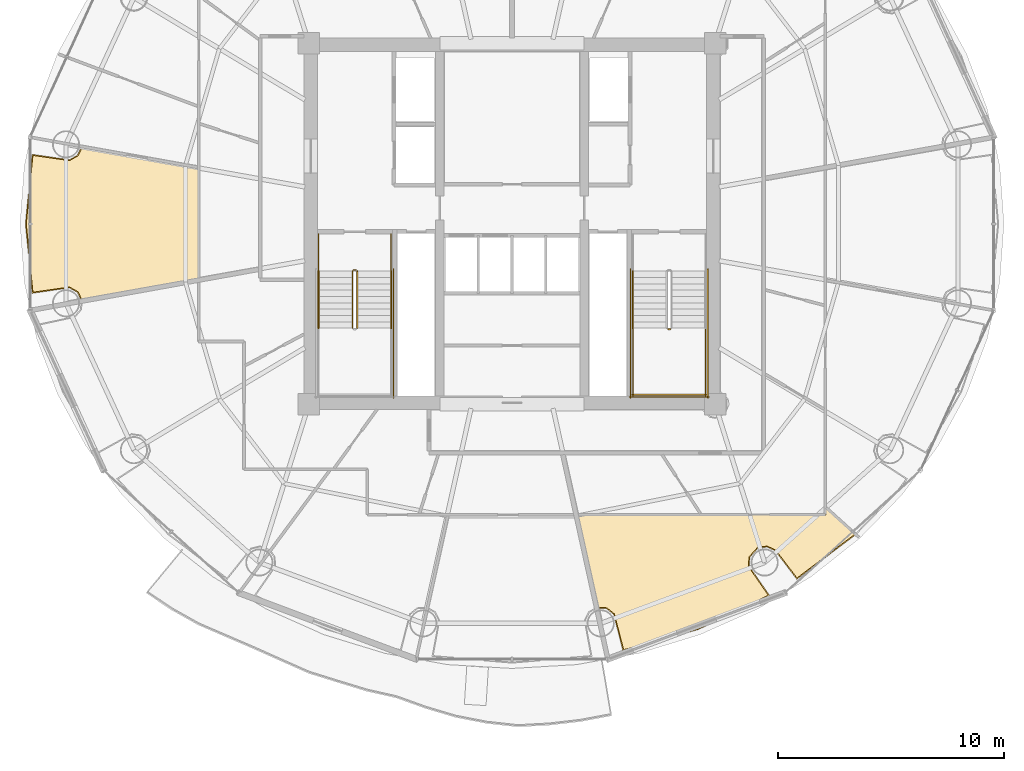
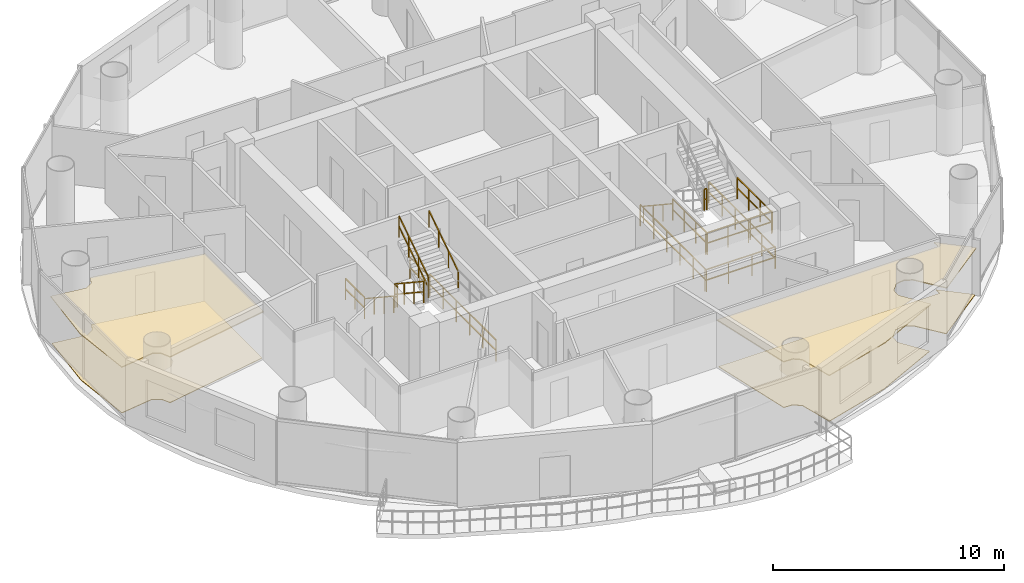
# One storey, part 25 of 27: 16 railings, 4 coverings.
"""IFC4 building model written with IfcOpenShell, lengths in metres."""

from ifc_helpers import new_model, si_unit, direction, frame, origin, origin_2d, place, context, subcontext, project, spatial, polyline, rectangle, outline, extrude, material, layer, layer_set, type_object, element, save


model = new_model("IFC4")

# Units and contexts
model_context = context("Model", 3, precision=1e-05, world=origin(), true_north=direction((-0.2419218956, 0.970295726276)))
body_context = subcontext(model_context, "Body", "Model", "MODEL_VIEW")
ifc_project = project(units=[si_unit("LENGTHUNIT", "METRE"), si_unit("AREAUNIT", "SQUARE_METRE"), si_unit("VOLUMEUNIT", "CUBIC_METRE"), si_unit("PLANEANGLEUNIT", "RADIAN"), si_unit("MASSUNIT", "GRAM", prefix="KILO")], contexts=[model_context])

# Site, building, storey
site_placement = place(None, origin())
site = spatial("IfcSite", under=ifc_project, at=site_placement, CompositionType="ELEMENT")
building_placement = place(site_placement, origin())
building = spatial("IfcBuilding", under=site, at=building_placement, Name="Cobrevalo Terracotta Tower", CompositionType="ELEMENT")
storey_placement = place(building_placement, frame((0.0, 0.0, 198.60009765625)))
storey = spatial("IfcBuildingStorey", under=building, at=storey_placement, Name="L52", CompositionType="ELEMENT", Elevation=198.60009765625)

# Coverings
ifc_material_1 = material(Name="Engineered Brazilian hardwood flooring", Category="wood")
ifc_layer_1 = layer(ifc_material_1, 0.028076171875)
ifc_layer_set_1 = layer_set([ifc_layer_1], Name="Engineered Brazilian hardwood flooring")
covering_type_1 = type_object("IfcCoveringType", Name="Engineered Hardwood Suite Flooring 28", PredefinedType="FLOORING", material=ifc_layer_set_1)
covering_1_placement = place(storey_placement, origin())
element("IfcCovering", 1, at=covering_1_placement, inside=storey, type_object=covering_type_1, Name="Flat L52B Penthouse Family Lounge floor finish", PredefinedType="FLOORING", context=body_context, shape_type="SweptSolid", body=[
    extrude(outline(polyline([(16.7734375, 29.83056640625), (18.39599609375, 29.5986328125), (18.770751953125, 29.80859375), (18.96337890625, 30.20166015625), (24.094970703125, 29.279052734375), (24.094970703125, 24.32080078125), (18.96337890625, 23.3984375), (18.770751953125, 23.791259765625), (18.39599609375, 24.00146484375), (16.7734375, 23.76953125), (16.47998046875, 26.800048828125), (16.7734375, 29.83056640625)])), origin(), (0.0, 0.0, 1.0), 0.02978515625),
])
covering_2_placement = place(storey_placement, origin())
element("IfcCovering", 2, at=covering_2_placement, inside=storey, type_object=covering_type_1, Name="Flat L52D Living and Dining Room floor finish", PredefinedType="FLOORING", context=body_context, shape_type="SweptSolid", body=[
    extrude(outline(polyline([(50.6279296875, 11.108154296875), (49.690185546875, 12.341796875), (49.30126953125, 12.5244140625), (48.87646484375, 12.460205078125), (48.497314453125, 12.039306640625), (48.477294921875, 11.610107421875), (49.3544921875, 10.34033203125), (46.236083984375, 8.858642578125), (42.9482421875, 7.93017578125), (42.537109375, 9.521484375), (42.198974609375, 9.78662109375), (41.759765625, 9.812255859375), (40.861083984375, 13.89501953125), (51.905029296875, 13.89501953125), (51.905029296875, 14.20751953125), (53.189697265625, 13.046630859375), (50.6279296875, 11.108154296875)])), origin(), (0.0, 0.0, 1.0), 0.02978515625),
])
ifc_material_2 = material(Name="Acoustic perforated gypsum ceiling", Category="gypsum")
ifc_layer_2 = layer(ifc_material_2, 0.050048828125)
ifc_layer_set_2 = layer_set([ifc_layer_2], Name="Acoustic perforated gypsum ceiling")
covering_type_2 = type_object("IfcCoveringType", Name="Perforated Acoustic Gypsum Ceiling 50", PredefinedType="CEILING", material=ifc_layer_set_2)
covering_3_placement = place(storey_placement, frame((0.0, 0.0, 2.44482421875)))
element("IfcCovering", 3, at=covering_3_placement, inside=storey, type_object=covering_type_2, Name="Flat L52B Penthouse Family Lounge acoustic ceiling", PredefinedType="CEILING", context=body_context, shape_type="SweptSolid", body=[
    extrude(outline(polyline([(16.73876953125, 29.88232421875), (18.386474609375, 29.642578125), (18.73828125, 29.83984375), (18.9296875, 30.25341796875), (24.139892578125, 29.316650390625), (24.139892578125, 24.283203125), (18.9296875, 23.3466796875), (18.73828125, 23.760009765625), (18.386474609375, 23.957275390625), (16.73876953125, 23.717529296875), (16.434814453125, 26.800048828125), (16.73876953125, 29.88232421875)])), origin(), (0.0, 0.0, 1.0), 0.050048828125),
])
covering_4_placement = place(storey_placement, frame((0.0, 0.0, 2.44482421875)))
element("IfcCovering", 4, at=covering_4_placement, inside=storey, type_object=covering_type_2, Name="Flat L52D Living and Dining Room acoustic ceiling", PredefinedType="CEILING", context=body_context, shape_type="SweptSolid", body=[
    extrude(outline(polyline([(50.6162109375, 11.048583984375), (49.659912109375, 12.30810546875), (49.294921875, 12.4794921875), (48.89599609375, 12.41943359375), (48.539794921875, 12.024169921875), (48.521240234375, 11.621337890625), (49.420166015625, 10.327392578125), (46.251708984375, 8.81640625), (42.91357421875, 7.878173828125), (42.500244140625, 9.49560546875), (42.1826171875, 9.74462890625), (41.724853515625, 9.76123046875), (40.80517578125, 13.93994140625), (51.860107421875, 13.93994140625), (51.860107421875, 14.308837890625), (53.25927734375, 13.044189453125), (50.6162109375, 11.048583984375)])), origin(), (0.0, 0.0, 1.0), 0.050048828125),
])

# Railings
ifc_material_3 = material(Name="Brushed stainless steel", Category="steel")
railing_type_1 = type_object("IfcRailingType", Name="Stainless Steel Stair Handrail 900", PredefinedType="HANDRAIL", material=ifc_material_3)
railing_1_placement = place(storey_placement, frame((29.425048828125, 24.699951171875, 0.184814453125)))
element("IfcRailing", 5, at=railing_1_placement, inside=storey, type_object=railing_type_1, Name="L52 ST-1 stair handrail 1", PredefinedType="HANDRAIL", context=body_context, shape_type="SweptSolid", body=[
    extrude(rectangle(XDim=0.048095703125, YDim=0.048095703125, at=origin_2d()), frame((0.0, 0.0, 0.8759765625), z_axis=(0.0, -0.834331337432, 0.55126329406), x_axis=(1.0, 0.0, 0.0)), (0.0, 0.0, 1.0), 3.0205078125),
    extrude(rectangle(XDim=0.0419921875, YDim=0.0419921875, at=origin_2d()), origin(), (0.0, 0.0, 1.0), 0.851806640625),
    extrude(rectangle(XDim=0.0419921875, YDim=0.0419921875, at=origin_2d()), frame((0.0, -0.840087890625, 0.554931640625)), (0.0, 0.0, 1.0), 0.851806640625),
    extrude(rectangle(XDim=0.0419921875, YDim=0.0419921875, at=origin_2d()), frame((0.0, -1.679931640625, 1.110107421875)), (0.0, 0.0, 1.0), 0.851806640625),
    extrude(rectangle(XDim=0.0419921875, YDim=0.0419921875, at=origin_2d()), frame((0.0, -2.52001953125, 1.6650390625)), (0.0, 0.0, 1.0), 0.851806640625),
])
railing_2_placement = place(storey_placement, frame((32.64501953125, 22.179931640625, 2.034912109375)))
element("IfcRailing", 6, at=railing_2_placement, inside=storey, type_object=railing_type_1, Name="L52 ST-1 stair handrail 2", PredefinedType="HANDRAIL", context=body_context, shape_type="SweptSolid", body=[
    extrude(rectangle(XDim=0.048095703125, YDim=0.048095703125, at=origin_2d()), frame((0.0, 0.0, 0.8759765625), z_axis=(0.0, 0.834331337432, 0.55126329406), x_axis=(-1.0, 0.0, 0.0)), (0.0, 0.0, 1.0), 3.0205078125),
    extrude(rectangle(XDim=0.0419921875, YDim=0.0419921875, at=origin_2d()), origin(), (0.0, 0.0, 1.0), 0.851806640625),
    extrude(rectangle(XDim=0.0419921875, YDim=0.0419921875, at=origin_2d()), frame((0.0, 0.840087890625, 0.554931640625)), (0.0, 0.0, 1.0), 0.851806640625),
    extrude(rectangle(XDim=0.0419921875, YDim=0.0419921875, at=origin_2d()), frame((0.0, 1.679931640625, 1.110107421875)), (0.0, 0.0, 1.0), 0.851806640625),
    extrude(rectangle(XDim=0.0419921875, YDim=0.0419921875, at=origin_2d()), frame((0.0, 2.52001953125, 1.6650390625)), (0.0, 0.0, 1.0), 0.851806640625),
])
railing_3_placement = place(storey_placement, frame((43.35498046875, 24.699951171875, 0.184814453125)))
element("IfcRailing", 7, at=railing_3_placement, inside=storey, type_object=railing_type_1, Name="L52 ST-2 stair handrail 1", PredefinedType="HANDRAIL", context=body_context, shape_type="SweptSolid", body=[
    extrude(rectangle(XDim=0.048095703125, YDim=0.048095703125, at=origin_2d()), frame((0.0, 0.0, 0.8759765625), z_axis=(0.0, -0.834331337432, 0.55126329406), x_axis=(1.0, 0.0, 0.0)), (0.0, 0.0, 1.0), 3.0205078125),
    extrude(rectangle(XDim=0.0419921875, YDim=0.0419921875, at=origin_2d()), origin(), (0.0, 0.0, 1.0), 0.851806640625),
    extrude(rectangle(XDim=0.0419921875, YDim=0.0419921875, at=origin_2d()), frame((0.0, -0.840087890625, 0.554931640625)), (0.0, 0.0, 1.0), 0.851806640625),
    extrude(rectangle(XDim=0.0419921875, YDim=0.0419921875, at=origin_2d()), frame((0.0, -1.679931640625, 1.110107421875)), (0.0, 0.0, 1.0), 0.851806640625),
    extrude(rectangle(XDim=0.0419921875, YDim=0.0419921875, at=origin_2d()), frame((0.0, -2.52001953125, 1.6650390625)), (0.0, 0.0, 1.0), 0.851806640625),
])
ifc_material_4 = material(Name="Painted galvanized steel", Category="steel")
railing_type_2 = type_object("IfcRailingType", Name="Stair Well Guard Balustrade 1150", PredefinedType="GUARDRAIL", material=ifc_material_4)
railing_4_placement = place(storey_placement, frame((30.925048828125, 24.699951171875, 0.184814453125)))
element("IfcRailing", 8, at=railing_4_placement, inside=storey, type_object=railing_type_2, Name="L52 ST-1 stair guard 1", PredefinedType="GUARDRAIL", context=body_context, shape_type="SweptSolid", body=[
    extrude(rectangle(XDim=0.048095703125, YDim=0.048095703125, at=origin_2d()), frame((0.0, 0.0, 1.1259765625), z_axis=(0.0, -0.834331337432, 0.55126329406), x_axis=(1.0, 0.0, 0.0)), (0.0, 0.0, 1.0), 3.0205078125),
    extrude(rectangle(XDim=0.048095703125, YDim=0.048095703125, at=origin_2d()), frame((0.0, 0.0, 0.574951171875), z_axis=(0.0, -0.834331337432, 0.55126329406), x_axis=(1.0, 0.0, 0.0)), (0.0, 0.0, 1.0), 3.0205078125),
    extrude(rectangle(XDim=0.0419921875, YDim=0.0419921875, at=origin_2d()), origin(), (0.0, 0.0, 1.0), 1.101806640625),
    extrude(rectangle(XDim=0.0419921875, YDim=0.0419921875, at=origin_2d()), frame((0.0, -0.840087890625, 0.554931640625)), (0.0, 0.0, 1.0), 1.101806640625),
    extrude(rectangle(XDim=0.0419921875, YDim=0.0419921875, at=origin_2d()), frame((0.0, -1.679931640625, 1.110107421875)), (0.0, 0.0, 1.0), 1.101806640625),
    extrude(rectangle(XDim=0.0419921875, YDim=0.0419921875, at=origin_2d()), frame((0.0, -2.52001953125, 1.6650390625)), (0.0, 0.0, 1.0), 1.101806640625),
])
railing_5_placement = place(storey_placement, frame((31.14501953125, 22.179931640625, 2.034912109375)))
element("IfcRailing", 9, at=railing_5_placement, inside=storey, type_object=railing_type_2, Name="L52 ST-1 stair guard 6", PredefinedType="GUARDRAIL", context=body_context, shape_type="SweptSolid", body=[
    extrude(rectangle(XDim=0.048095703125, YDim=0.048095703125, at=origin_2d()), frame((0.0, 0.0, 1.1259765625), z_axis=(0.0, 0.834331337432, 0.55126329406), x_axis=(-1.0, 0.0, 0.0)), (0.0, 0.0, 1.0), 3.0205078125),
    extrude(rectangle(XDim=0.048095703125, YDim=0.048095703125, at=origin_2d()), frame((0.0, 0.0, 0.574951171875), z_axis=(0.0, 0.834331337432, 0.55126329406), x_axis=(-1.0, 0.0, 0.0)), (0.0, 0.0, 1.0), 3.0205078125),
    extrude(rectangle(XDim=0.0419921875, YDim=0.0419921875, at=origin_2d()), origin(), (0.0, 0.0, 1.0), 1.101806640625),
    extrude(rectangle(XDim=0.0419921875, YDim=0.0419921875, at=origin_2d()), frame((0.0, 0.840087890625, 0.554931640625)), (0.0, 0.0, 1.0), 1.101806640625),
    extrude(rectangle(XDim=0.0419921875, YDim=0.0419921875, at=origin_2d()), frame((0.0, 1.679931640625, 1.110107421875)), (0.0, 0.0, 1.0), 1.101806640625),
    extrude(rectangle(XDim=0.0419921875, YDim=0.0419921875, at=origin_2d()), frame((0.0, 2.52001953125, 1.6650390625)), (0.0, 0.0, 1.0), 1.101806640625),
])
railing_6_placement = place(storey_placement, frame((30.97509765625, 24.75, 0.0)))
element("IfcRailing", 10, at=railing_6_placement, inside=storey, type_object=railing_type_2, Name="L52 ST-1 stair guard 7", PredefinedType="GUARDRAIL", context=body_context, shape_type="SweptSolid", body=[
    extrude(rectangle(XDim=0.048095703125, YDim=0.048095703125, at=origin_2d()), frame((0.0, 0.0, 1.1259765625), z_axis=(1.0, 0.0, 0.0), x_axis=(0.0, 1.0, 0.0)), (0.0, 0.0, 1.0), 0.119873046875),
    extrude(rectangle(XDim=0.048095703125, YDim=0.048095703125, at=origin_2d()), frame((0.0, 0.0, 0.574951171875), z_axis=(1.0, 0.0, 0.0), x_axis=(0.0, 1.0, 0.0)), (0.0, 0.0, 1.0), 0.119873046875),
    extrude(rectangle(XDim=0.0419921875, YDim=0.0419921875, at=origin_2d()), origin(), (0.0, 0.0, 1.0), 1.101806640625),
    extrude(rectangle(XDim=0.0419921875, YDim=0.0419921875, at=origin_2d()), frame((0.119873046875, 0.0, 0.0)), (0.0, 0.0, 1.0), 1.101806640625),
])
for number, where, name in (
    (11, (29.425048828125, 26.35009765625, 0.0), "L52 ST-1 stair guard 8"),
    (12, (32.64501953125, 26.35009765625, 0.0), "L52 ST-1 stair guard 9"),
):
    element("IfcRailing", number, at=place(storey_placement, frame(where)), inside=storey, type_object=railing_type_2, Name=name, PredefinedType="GUARDRAIL", context=body_context, shape_type="SweptSolid", body=[
        extrude(rectangle(XDim=0.048095703125, YDim=0.048095703125, at=origin_2d()), frame((0.0, 0.0, 1.1259765625), z_axis=(0.0, -1.0, 0.0), x_axis=(1.0, 0.0, 0.0)), (0.0, 0.0, 1.0), 1.650146484375),
        extrude(rectangle(XDim=0.048095703125, YDim=0.048095703125, at=origin_2d()), frame((0.0, 0.0, 0.574951171875), z_axis=(0.0, -1.0, 0.0), x_axis=(1.0, 0.0, 0.0)), (0.0, 0.0, 1.0), 1.650146484375),
        extrude(rectangle(XDim=0.0419921875, YDim=0.0419921875, at=origin_2d()), origin(), (0.0, 0.0, 1.0), 1.101806640625),
        extrude(rectangle(XDim=0.0419921875, YDim=0.0419921875, at=origin_2d()), frame((0.0, -0.8251953125, 0.0)), (0.0, 0.0, 1.0), 1.101806640625),
        extrude(rectangle(XDim=0.0419921875, YDim=0.0419921875, at=origin_2d()), frame((0.0, -1.650146484375, 0.0)), (0.0, 0.0, 1.0), 1.101806640625),
    ])
railing_7_placement = place(storey_placement, frame((32.7451171875, 24.800048828125, 0.0)))
element("IfcRailing", 13, at=railing_7_placement, inside=storey, type_object=railing_type_2, Name="L52 ST-1 stair guard 11", PredefinedType="GUARDRAIL", context=body_context, shape_type="SweptSolid", body=[
    extrude(rectangle(XDim=0.048095703125, YDim=0.048095703125, at=origin_2d()), frame((0.0, 0.0, 1.1259765625), z_axis=(0.0, -1.0, 0.0), x_axis=(1.0, 0.0, 0.0)), (0.0, 0.0, 1.0), 5.72509765625),
    extrude(rectangle(XDim=0.048095703125, YDim=0.048095703125, at=origin_2d()), frame((0.0, 0.0, 0.574951171875), z_axis=(0.0, -1.0, 0.0), x_axis=(1.0, 0.0, 0.0)), (0.0, 0.0, 1.0), 5.72509765625),
    extrude(rectangle(XDim=0.0419921875, YDim=0.0419921875, at=origin_2d()), origin(), (0.0, 0.0, 1.0), 1.101806640625),
    extrude(rectangle(XDim=0.0419921875, YDim=0.0419921875, at=origin_2d()), frame((0.0, -1.14501953125, 0.0)), (0.0, 0.0, 1.0), 1.101806640625),
    extrude(rectangle(XDim=0.0419921875, YDim=0.0419921875, at=origin_2d()), frame((0.0, -2.2900390625, 0.0)), (0.0, 0.0, 1.0), 1.101806640625),
    extrude(rectangle(XDim=0.0419921875, YDim=0.0419921875, at=origin_2d()), frame((0.0, -3.43505859375, 0.0)), (0.0, 0.0, 1.0), 1.101806640625),
    extrude(rectangle(XDim=0.0419921875, YDim=0.0419921875, at=origin_2d()), frame((0.0, -4.580078125, 0.0)), (0.0, 0.0, 1.0), 1.101806640625),
    extrude(rectangle(XDim=0.0419921875, YDim=0.0419921875, at=origin_2d()), frame((0.0, -5.72509765625, 0.0)), (0.0, 0.0, 1.0), 1.101806640625),
])
railing_8_placement = place(storey_placement, frame((44.905029296875, 22.1298828125, 1.849853515625)))
element("IfcRailing", 14, at=railing_8_placement, inside=storey, type_object=railing_type_2, Name="L52 ST-2 stair guard 2", PredefinedType="GUARDRAIL", context=body_context, shape_type="SweptSolid", body=[
    extrude(rectangle(XDim=0.048095703125, YDim=0.048095703125, at=origin_2d()), frame((0.0, 0.0, 1.1259765625), z_axis=(1.0, 0.0, 0.0), x_axis=(0.0, 1.0, 0.0)), (0.0, 0.0, 1.0), 0.119873046875),
    extrude(rectangle(XDim=0.048095703125, YDim=0.048095703125, at=origin_2d()), frame((0.0, 0.0, 0.574951171875), z_axis=(1.0, 0.0, 0.0), x_axis=(0.0, 1.0, 0.0)), (0.0, 0.0, 1.0), 0.119873046875),
    extrude(rectangle(XDim=0.0419921875, YDim=0.0419921875, at=origin_2d()), origin(), (0.0, 0.0, 1.0), 1.101806640625),
    extrude(rectangle(XDim=0.0419921875, YDim=0.0419921875, at=origin_2d()), frame((0.119873046875, 0.0, 0.0)), (0.0, 0.0, 1.0), 1.101806640625),
])
for number, where, name in (
    (15, (43.35498046875, 22.179931640625, 1.849853515625), "L52 ST-2 stair guard 3"),
    (16, (46.574951171875, 22.179931640625, 1.849853515625), "L52 ST-2 stair guard 4"),
):
    element("IfcRailing", number, at=place(storey_placement, frame(where)), inside=storey, type_object=railing_type_2, Name=name, PredefinedType="GUARDRAIL", context=body_context, shape_type="SweptSolid", body=[
        extrude(rectangle(XDim=0.048095703125, YDim=0.048095703125, at=origin_2d()), frame((0.0, 0.0, 1.1259765625), z_axis=(0.0, -1.0, 0.0), x_axis=(1.0, 0.0, 0.0)), (0.0, 0.0, 1.0), 3.0048828125),
        extrude(rectangle(XDim=0.048095703125, YDim=0.048095703125, at=origin_2d()), frame((0.0, 0.0, 0.574951171875), z_axis=(0.0, -1.0, 0.0), x_axis=(1.0, 0.0, 0.0)), (0.0, 0.0, 1.0), 3.0048828125),
        extrude(rectangle(XDim=0.0419921875, YDim=0.0419921875, at=origin_2d()), origin(), (0.0, 0.0, 1.0), 1.101806640625),
        extrude(rectangle(XDim=0.0419921875, YDim=0.0419921875, at=origin_2d()), frame((0.0, -1.001708984375, 0.0)), (0.0, 0.0, 1.0), 1.101806640625),
        extrude(rectangle(XDim=0.0419921875, YDim=0.0419921875, at=origin_2d()), frame((0.0, -2.003173828125, 0.0)), (0.0, 0.0, 1.0), 1.101806640625),
        extrude(rectangle(XDim=0.0419921875, YDim=0.0419921875, at=origin_2d()), frame((0.0, -3.0048828125, 0.0)), (0.0, 0.0, 1.0), 1.101806640625),
    ])
railing_9_placement = place(storey_placement, frame((43.304931640625, 19.22509765625, 1.849853515625)))
element("IfcRailing", 17, at=railing_9_placement, inside=storey, type_object=railing_type_2, Name="L52 ST-2 stair guard 5", PredefinedType="GUARDRAIL", context=body_context, shape_type="SweptSolid", body=[
    extrude(rectangle(XDim=0.048095703125, YDim=0.048095703125, at=origin_2d()), frame((0.0, 0.0, 1.1259765625), z_axis=(1.0, 0.0, 0.0), x_axis=(0.0, 1.0, 0.0)), (0.0, 0.0, 1.0), 3.320068359375),
    extrude(rectangle(XDim=0.048095703125, YDim=0.048095703125, at=origin_2d()), frame((0.0, 0.0, 0.574951171875), z_axis=(1.0, 0.0, 0.0), x_axis=(0.0, 1.0, 0.0)), (0.0, 0.0, 1.0), 3.320068359375),
    extrude(rectangle(XDim=0.0419921875, YDim=0.0419921875, at=origin_2d()), origin(), (0.0, 0.0, 1.0), 1.101806640625),
    extrude(rectangle(XDim=0.0419921875, YDim=0.0419921875, at=origin_2d()), frame((1.106689453125, 0.0, 0.0)), (0.0, 0.0, 1.0), 1.101806640625),
    extrude(rectangle(XDim=0.0419921875, YDim=0.0419921875, at=origin_2d()), frame((2.21337890625, 0.0, 0.0)), (0.0, 0.0, 1.0), 1.101806640625),
    extrude(rectangle(XDim=0.0419921875, YDim=0.0419921875, at=origin_2d()), frame((3.320068359375, 0.0, 0.0)), (0.0, 0.0, 1.0), 1.101806640625),
])
for number, where, name in (
    (18, (43.2548828125, 24.800048828125, 0.0), "L52 ST-2 stair guard 10"),
    (19, (46.675048828125, 24.800048828125, 0.0), "L52 ST-2 stair guard 11"),
):
    element("IfcRailing", number, at=place(storey_placement, frame(where)), inside=storey, type_object=railing_type_2, Name=name, PredefinedType="GUARDRAIL", context=body_context, shape_type="SweptSolid", body=[
        extrude(rectangle(XDim=0.048095703125, YDim=0.048095703125, at=origin_2d()), frame((0.0, 0.0, 1.1259765625), z_axis=(0.0, -1.0, 0.0), x_axis=(1.0, 0.0, 0.0)), (0.0, 0.0, 1.0), 5.72509765625),
        extrude(rectangle(XDim=0.048095703125, YDim=0.048095703125, at=origin_2d()), frame((0.0, 0.0, 0.574951171875), z_axis=(0.0, -1.0, 0.0), x_axis=(1.0, 0.0, 0.0)), (0.0, 0.0, 1.0), 5.72509765625),
        extrude(rectangle(XDim=0.0419921875, YDim=0.0419921875, at=origin_2d()), origin(), (0.0, 0.0, 1.0), 1.101806640625),
        extrude(rectangle(XDim=0.0419921875, YDim=0.0419921875, at=origin_2d()), frame((0.0, -1.14501953125, 0.0)), (0.0, 0.0, 1.0), 1.101806640625),
        extrude(rectangle(XDim=0.0419921875, YDim=0.0419921875, at=origin_2d()), frame((0.0, -2.2900390625, 0.0)), (0.0, 0.0, 1.0), 1.101806640625),
        extrude(rectangle(XDim=0.0419921875, YDim=0.0419921875, at=origin_2d()), frame((0.0, -3.43505859375, 0.0)), (0.0, 0.0, 1.0), 1.101806640625),
        extrude(rectangle(XDim=0.0419921875, YDim=0.0419921875, at=origin_2d()), frame((0.0, -4.580078125, 0.0)), (0.0, 0.0, 1.0), 1.101806640625),
        extrude(rectangle(XDim=0.0419921875, YDim=0.0419921875, at=origin_2d()), frame((0.0, -5.72509765625, 0.0)), (0.0, 0.0, 1.0), 1.101806640625),
    ])
railing_10_placement = place(storey_placement, frame((43.205078125, 19.125, 0.0)))
element("IfcRailing", 20, at=railing_10_placement, inside=storey, type_object=railing_type_2, Name="L52 ST-2 stair guard 12", PredefinedType="GUARDRAIL", context=body_context, shape_type="SweptSolid", body=[
    extrude(rectangle(XDim=0.048095703125, YDim=0.048095703125, at=origin_2d()), frame((0.0, 0.0, 1.1259765625), z_axis=(1.0, 0.0, 0.0), x_axis=(0.0, 1.0, 0.0)), (0.0, 0.0, 1.0), 3.52001953125),
    extrude(rectangle(XDim=0.048095703125, YDim=0.048095703125, at=origin_2d()), frame((0.0, 0.0, 0.574951171875), z_axis=(1.0, 0.0, 0.0), x_axis=(0.0, 1.0, 0.0)), (0.0, 0.0, 1.0), 3.52001953125),
    extrude(rectangle(XDim=0.0419921875, YDim=0.0419921875, at=origin_2d()), origin(), (0.0, 0.0, 1.0), 1.101806640625),
    extrude(rectangle(XDim=0.0419921875, YDim=0.0419921875, at=origin_2d()), frame((1.17333984375, 0.0, 0.0)), (0.0, 0.0, 1.0), 1.101806640625),
    extrude(rectangle(XDim=0.0419921875, YDim=0.0419921875, at=origin_2d()), frame((2.3466796875, 0.0, 0.0)), (0.0, 0.0, 1.0), 1.101806640625),
    extrude(rectangle(XDim=0.0419921875, YDim=0.0419921875, at=origin_2d()), frame((3.52001953125, 0.0, 0.0)), (0.0, 0.0, 1.0), 1.101806640625),
])

save(model, "model.ifc")
